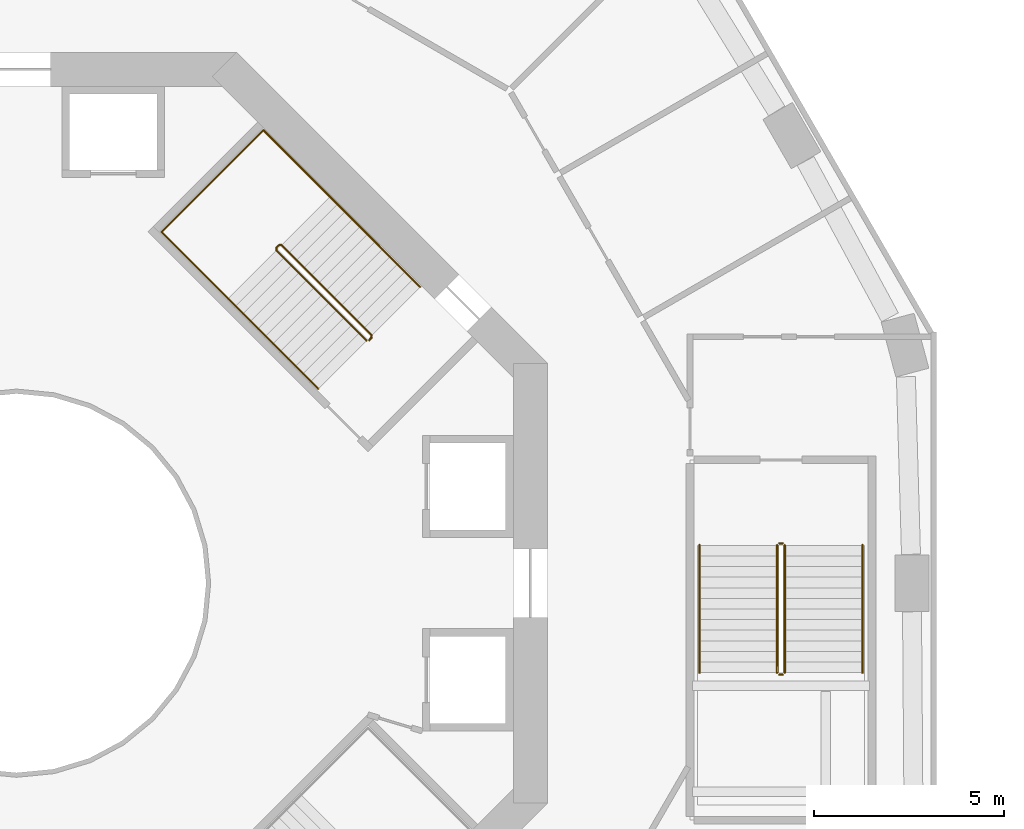
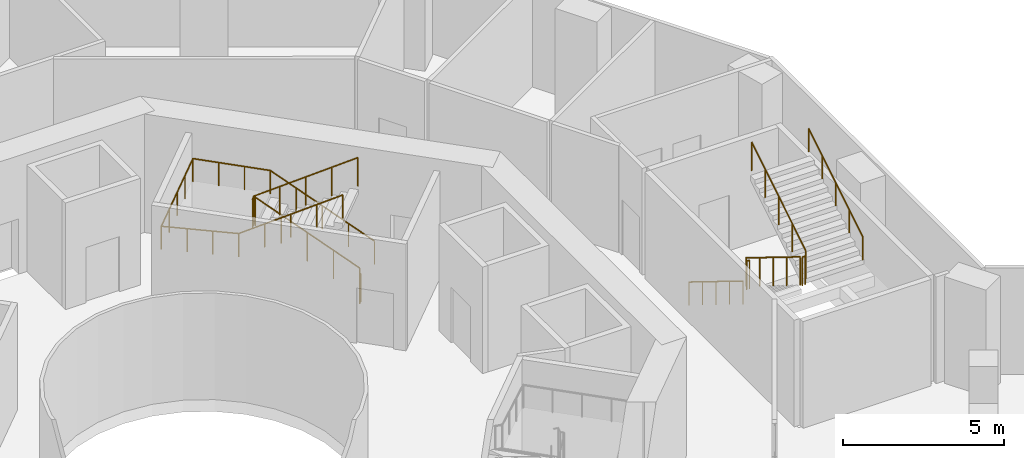
# One storey, part 19 of 21: 8 railings.
"""IFC4 building model written with IfcOpenShell, lengths in metres."""

from ifc_helpers import new_model, si_unit, direction, frame, origin, origin_2d, place, context, subcontext, project, spatial, circle, extrude, material, type_object, element, save


model = new_model("IFC4")

# Units and contexts
model_context = context("Model", 3, precision=1e-05, world=origin(), true_north=direction((0.0, 1.0)))
body_context = subcontext(model_context, "Body", "Model", "MODEL_VIEW")
ifc_project = project(units=[si_unit("LENGTHUNIT", "METRE"), si_unit("AREAUNIT", "SQUARE_METRE"), si_unit("VOLUMEUNIT", "CUBIC_METRE"), si_unit("PLANEANGLEUNIT", "RADIAN"), si_unit("MASSUNIT", "GRAM", prefix="KILO")], contexts=[model_context])

# Site, building, storey
site_placement = place(None, origin())
site = spatial("IfcSite", under=ifc_project, at=site_placement, CompositionType="ELEMENT")
building_placement = place(site_placement, origin())
building = spatial("IfcBuilding", under=site, at=building_placement, Name="Verdalira Terraces Hotel", CompositionType="ELEMENT")
storey_placement = place(building_placement, frame((0.0, 0.0, 19.0)))
storey = spatial("IfcBuildingStorey", under=building, at=storey_placement, Name="L03", CompositionType="ELEMENT", Elevation=19.0)

# Railings
ifc_material_1 = material(Name="Stainless steel", Category="steel")
railing_type_1 = type_object("IfcRailingType", Name="Stair guard 1100", PredefinedType="GUARDRAIL", material=ifc_material_1)
railing_1_placement = place(storey_placement, frame((9.369141, 6.469971, 0.0)))
element("IfcRailing", 1, at=railing_1_placement, inside=storey, type_object=railing_type_1, Name="L03 ST1 stair guard 1", PredefinedType="GUARDRAIL", context=body_context, shape_type="SweptSolid", body=[
    extrude(circle(Radius=0.023926, at=origin_2d()), frame((0.0, 0.0, 1.076172), z_axis=(-0.70832698, -0.705884473, 0.0), x_axis=(0.705884473, -0.70832698, 0.0)), (0.0, 0.0, 1.0), 0.099854),
    extrude(circle(Radius=0.023926, at=origin_2d()), frame((-0.070801, -0.070557, 1.076172), z_axis=(0.302014195, 0.602986962, 0.738372636), x_axis=(-0.894118129, 0.447831187, 0.0)), (0.0, 0.0, 1.0), 0.234375),
    extrude(circle(Radius=0.023926, at=origin_2d()), frame((0.0, 0.070801, 1.249023), z_axis=(-0.601505331, 0.601443524, 0.525791806), x_axis=(-0.707070449, -0.707143111, 0.0)), (0.0, 0.0, 1.0), 3.949951),
    extrude(circle(Radius=0.023926, at=origin_2d()), frame((-2.375977, 2.446533, 3.326172), z_axis=(-1.0, 0.0, 0.0), x_axis=(0.0, -1.0, 0.0)), (0.0, 0.0, 1.0), 0.070557),
    extrude(circle(Radius=0.023926, at=origin_2d()), frame((-2.446533, 2.446533, 3.326172), z_axis=(-0.70832698, -0.705884473, 0.0), x_axis=(0.705884473, -0.70832698, 0.0)), (0.0, 0.0, 1.0), 0.099854),
    extrude(circle(Radius=0.023926, at=origin_2d()), frame((-2.517334, 2.375977, 3.326172), z_axis=(0.0, -0.378582013, 0.92556775), x_axis=(1.0, 0.0, 0.0)), (0.0, 0.0, 1.0), 0.187012),
    extrude(circle(Radius=0.023926, at=origin_2d()), frame((-2.517334, 2.305176, 3.499023), z_axis=(0.601505331, -0.601443524, 0.525791806), x_axis=(0.707070449, 0.707143111, 0.0)), (0.0, 0.0, 1.0), 3.949951),
    extrude(circle(Radius=0.020996, at=origin_2d()), origin(), (0.0, 0.0, 1.0), 1.052002),
    extrude(circle(Radius=0.020996, at=origin_2d()), frame((-0.070801, -0.070557, 0.0)), (0.0, 0.0, 1.0), 1.052002),
    extrude(circle(Radius=0.020996, at=origin_2d()), frame((0.0, 0.070801, 0.173096)), (0.0, 0.0, 1.0), 1.052002),
    extrude(circle(Radius=0.020996, at=origin_2d()), frame((-0.593994, 0.664795, 0.692383)), (0.0, 0.0, 1.0), 1.052002),
    extrude(circle(Radius=0.020996, at=origin_2d()), frame((-1.187988, 1.258789, 1.211426)), (0.0, 0.0, 1.0), 1.052002),
    extrude(circle(Radius=0.020996, at=origin_2d()), frame((-1.781982, 1.852539, 1.730713)), (0.0, 0.0, 1.0), 1.052002),
    extrude(circle(Radius=0.020996, at=origin_2d()), frame((-2.375977, 2.446533, 2.25)), (0.0, 0.0, 1.0), 1.052002),
    extrude(circle(Radius=0.020996, at=origin_2d()), frame((-2.446533, 2.446533, 2.25)), (0.0, 0.0, 1.0), 1.052002),
    extrude(circle(Radius=0.020996, at=origin_2d()), frame((-2.517334, 2.375977, 2.25)), (0.0, 0.0, 1.0), 1.052002),
    extrude(circle(Radius=0.020996, at=origin_2d()), frame((-2.517334, 2.305176, 2.423096)), (0.0, 0.0, 1.0), 1.052002),
    extrude(circle(Radius=0.020996, at=origin_2d()), frame((-1.92334, 1.711182, 2.942383)), (0.0, 0.0, 1.0), 1.052002),
    extrude(circle(Radius=0.020996, at=origin_2d()), frame((-1.329346, 1.117188, 3.461426)), (0.0, 0.0, 1.0), 1.052002),
    extrude(circle(Radius=0.020996, at=origin_2d()), frame((-0.735352, 0.523438, 3.980713)), (0.0, 0.0, 1.0), 1.052002),
    extrude(circle(Radius=0.020996, at=origin_2d()), frame((-0.141357, -0.070557, 4.5)), (0.0, 0.0, 1.0), 1.052002),
])
railing_2_placement = place(storey_placement, frame((20.05835, 1.0, 0.173096)))
element("IfcRailing", 2, at=railing_2_placement, inside=storey, type_object=railing_type_1, Name="L03 PS4 stair guard 1", PredefinedType="GUARDRAIL", context=body_context, shape_type="SweptSolid", body=[
    extrude(circle(Radius=0.023926, at=origin_2d()), frame((0.0, 0.0, 1.076172), z_axis=(0.0, -0.850623217, 0.525775754), x_axis=(1.0, 0.0, 0.0)), (0.0, 0.0, 1.0), 3.950195),
    extrude(circle(Radius=0.020996, at=origin_2d()), origin(), (0.0, 0.0, 1.0), 1.052002),
    extrude(circle(Radius=0.020996, at=origin_2d()), frame((0.0, -0.840088, 0.519287)), (0.0, 0.0, 1.0), 1.052002),
    extrude(circle(Radius=0.020996, at=origin_2d()), frame((0.0, -1.680176, 1.038574)), (0.0, 0.0, 1.0), 1.052002),
    extrude(circle(Radius=0.020996, at=origin_2d()), frame((0.0, -2.52002, 1.557617)), (0.0, 0.0, 1.0), 1.052002),
    extrude(circle(Radius=0.020996, at=origin_2d()), frame((0.0, -3.360107, 2.076904)), (0.0, 0.0, 1.0), 1.052002),
])
railing_3_placement = place(storey_placement, frame((20.108398, -2.409912, 2.25)))
element("IfcRailing", 3, at=railing_3_placement, inside=storey, type_object=railing_type_1, Name="L03 PS4 stair guard 2", PredefinedType="GUARDRAIL", context=body_context, shape_type="SweptSolid", body=[
    extrude(circle(Radius=0.023926, at=origin_2d()), frame((0.0, 0.0, 1.076172), z_axis=(1.0, 0.0, 0.0), x_axis=(0.0, 1.0, 0.0)), (0.0, 0.0, 1.0), 0.099854),
    extrude(circle(Radius=0.020996, at=origin_2d()), origin(), (0.0, 0.0, 1.0), 1.052002),
    extrude(circle(Radius=0.020996, at=origin_2d()), frame((0.099854, 0.0, 0.0)), (0.0, 0.0, 1.0), 1.052002),
])
railing_4_placement = place(storey_placement, frame((20.258301, -2.360107, 2.423096)))
element("IfcRailing", 4, at=railing_4_placement, inside=storey, type_object=railing_type_1, Name="L03 PS4 stair guard 3", PredefinedType="GUARDRAIL", context=body_context, shape_type="SweptSolid", body=[
    extrude(circle(Radius=0.023926, at=origin_2d()), frame((0.0, 0.0, 1.076172), z_axis=(0.0, 0.850623217, 0.525775754), x_axis=(-1.0, 0.0, 0.0)), (0.0, 0.0, 1.0), 3.950195),
    extrude(circle(Radius=0.020996, at=origin_2d()), origin(), (0.0, 0.0, 1.0), 1.052002),
    extrude(circle(Radius=0.020996, at=origin_2d()), frame((0.0, 0.840088, 0.519287)), (0.0, 0.0, 1.0), 1.052002),
    extrude(circle(Radius=0.020996, at=origin_2d()), frame((0.0, 1.680176, 1.038574)), (0.0, 0.0, 1.0), 1.052002),
    extrude(circle(Radius=0.020996, at=origin_2d()), frame((0.0, 2.52002, 1.557617)), (0.0, 0.0, 1.0), 1.052002),
    extrude(circle(Radius=0.020996, at=origin_2d()), frame((0.0, 3.360107, 2.076904)), (0.0, 0.0, 1.0), 1.052002),
])
railing_5_placement = place(storey_placement, frame((20.108398, 1.050049, 0.0)))
element("IfcRailing", 5, at=railing_5_placement, inside=storey, type_object=railing_type_1, Name="L03 PS4 stair guard 4", PredefinedType="GUARDRAIL", context=body_context, shape_type="SweptSolid", body=[
    extrude(circle(Radius=0.023926, at=origin_2d()), frame((0.0, 0.0, 1.076172), z_axis=(1.0, 0.0, 0.0), x_axis=(0.0, 1.0, 0.0)), (0.0, 0.0, 1.0), 0.099854),
    extrude(circle(Radius=0.020996, at=origin_2d()), origin(), (0.0, 0.0, 1.0), 1.052002),
    extrude(circle(Radius=0.020996, at=origin_2d()), frame((0.099854, 0.0, 0.0)), (0.0, 0.0, 1.0), 1.052002),
])
ifc_material_2 = material(Name="Stainless steel", Category="steel")
railing_type_2 = type_object("IfcRailingType", Name="Stair handrail 900", PredefinedType="HANDRAIL", material=ifc_material_2)
railing_6_placement = place(storey_placement, frame((10.641846, 7.813477, 0.173096)))
element("IfcRailing", 6, at=railing_6_placement, inside=storey, type_object=railing_type_2, Name="L03 ST1 stair handrail 1", PredefinedType="HANDRAIL", context=body_context, shape_type="SweptSolid", body=[
    extrude(circle(Radius=0.023926, at=origin_2d()), frame((0.0, 0.0, 0.875977), z_axis=(-0.601443524, 0.601505331, 0.525791806), x_axis=(-0.707143111, -0.707070449, 0.0)), (0.0, 0.0, 1.0), 3.949951),
    extrude(circle(Radius=0.023926, at=origin_2d()), frame((-2.375732, 2.375977, 2.952637), z_axis=(-0.707106781, 0.707106781, 0.0), x_axis=(-0.707106781, -0.707106781, 0.0)), (0.0, 0.0, 1.0), 2.48999),
    extrude(circle(Radius=0.023926, at=origin_2d()), frame((-4.136475, 4.136719, 2.952637), z_axis=(-0.707106781, -0.707106781, 0.0), x_axis=(0.707106781, -0.707106781, 0.0)), (0.0, 0.0, 1.0), 3.800049),
    extrude(circle(Radius=0.023926, at=origin_2d()), frame((-6.823486, 1.449707, 2.952637), z_axis=(0.705404483, -0.705404483, 0.069347168), x_axis=(0.707106781, 0.707106781, 0.0)), (0.0, 0.0, 1.0), 2.496094),
    extrude(circle(Radius=0.023926, at=origin_2d()), frame((-5.062744, -0.311035, 3.125977), z_axis=(0.601443524, -0.601505331, 0.525791806), x_axis=(0.707143111, 0.707070449, 0.0)), (0.0, 0.0, 1.0), 3.949951),
    extrude(circle(Radius=0.020996, at=origin_2d()), origin(), (0.0, 0.0, 1.0), 0.851807),
    extrude(circle(Radius=0.020996, at=origin_2d()), frame((-0.593994, 0.593994, 0.519287)), (0.0, 0.0, 1.0), 0.851807),
    extrude(circle(Radius=0.020996, at=origin_2d()), frame((-1.187988, 1.187988, 1.038574)), (0.0, 0.0, 1.0), 0.851807),
    extrude(circle(Radius=0.020996, at=origin_2d()), frame((-1.781738, 1.781982, 1.557617)), (0.0, 0.0, 1.0), 0.851807),
    extrude(circle(Radius=0.020996, at=origin_2d()), frame((-2.375732, 2.375977, 2.076904)), (0.0, 0.0, 1.0), 0.851807),
    extrude(circle(Radius=0.020996, at=origin_2d()), frame((-2.962646, 2.962891, 2.076904)), (0.0, 0.0, 1.0), 0.851807),
    extrude(circle(Radius=0.020996, at=origin_2d()), frame((-3.549561, 3.549805, 2.076904)), (0.0, 0.0, 1.0), 0.851807),
    extrude(circle(Radius=0.020996, at=origin_2d()), frame((-4.136475, 4.136719, 2.076904)), (0.0, 0.0, 1.0), 0.851807),
    extrude(circle(Radius=0.020996, at=origin_2d()), frame((-4.808105, 3.464844, 2.076904)), (0.0, 0.0, 1.0), 0.851807),
    extrude(circle(Radius=0.020996, at=origin_2d()), frame((-5.47998, 2.793213, 2.076904)), (0.0, 0.0, 1.0), 0.851807),
    extrude(circle(Radius=0.020996, at=origin_2d()), frame((-6.151855, 2.121582, 2.076904)), (0.0, 0.0, 1.0), 0.851807),
    extrude(circle(Radius=0.020996, at=origin_2d()), frame((-6.823486, 1.449707, 2.076904)), (0.0, 0.0, 1.0), 0.851807),
    extrude(circle(Radius=0.020996, at=origin_2d()), frame((-6.236572, 0.862793, 2.134521)), (0.0, 0.0, 1.0), 0.851807),
    extrude(circle(Radius=0.020996, at=origin_2d()), frame((-5.649658, 0.275879, 2.192383)), (0.0, 0.0, 1.0), 0.851807),
    extrude(circle(Radius=0.020996, at=origin_2d()), frame((-5.062744, -0.311035, 2.25)), (0.0, 0.0, 1.0), 0.851807),
    extrude(circle(Radius=0.020996, at=origin_2d()), frame((-4.46875, -0.905029, 2.769287)), (0.0, 0.0, 1.0), 0.851807),
    extrude(circle(Radius=0.020996, at=origin_2d()), frame((-3.875, -1.499023, 3.288574)), (0.0, 0.0, 1.0), 0.851807),
    extrude(circle(Radius=0.020996, at=origin_2d()), frame((-3.281006, -2.093018, 3.807617)), (0.0, 0.0, 1.0), 0.851807),
    extrude(circle(Radius=0.020996, at=origin_2d()), frame((-2.687012, -2.687012, 4.326904)), (0.0, 0.0, 1.0), 0.851807),
])
railing_7_placement = place(storey_placement, frame((18.008301, 1.0, 0.173096)))
element("IfcRailing", 7, at=railing_7_placement, inside=storey, type_object=railing_type_2, Name="L03 PS4 stair handrail 1", PredefinedType="HANDRAIL", context=body_context, shape_type="SweptSolid", body=[
    extrude(circle(Radius=0.023926, at=origin_2d()), frame((0.0, 0.0, 0.875977), z_axis=(0.0, -0.850623217, 0.525775754), x_axis=(1.0, 0.0, 0.0)), (0.0, 0.0, 1.0), 3.950195),
    extrude(circle(Radius=0.020996, at=origin_2d()), origin(), (0.0, 0.0, 1.0), 0.851807),
    extrude(circle(Radius=0.020996, at=origin_2d()), frame((0.0, -0.840088, 0.519287)), (0.0, 0.0, 1.0), 0.851807),
    extrude(circle(Radius=0.020996, at=origin_2d()), frame((0.0, -1.680176, 1.038574)), (0.0, 0.0, 1.0), 0.851807),
    extrude(circle(Radius=0.020996, at=origin_2d()), frame((0.0, -2.52002, 1.557617)), (0.0, 0.0, 1.0), 0.851807),
    extrude(circle(Radius=0.020996, at=origin_2d()), frame((0.0, -3.360107, 2.076904)), (0.0, 0.0, 1.0), 0.851807),
])
railing_8_placement = place(storey_placement, frame((22.30835, -2.360107, 2.423096)))
element("IfcRailing", 8, at=railing_8_placement, inside=storey, type_object=railing_type_2, Name="L03 PS4 stair handrail 2", PredefinedType="HANDRAIL", context=body_context, shape_type="SweptSolid", body=[
    extrude(circle(Radius=0.023926, at=origin_2d()), frame((0.0, 0.0, 0.875977), z_axis=(0.0, 0.850623217, 0.525775754), x_axis=(-1.0, 0.0, 0.0)), (0.0, 0.0, 1.0), 3.950195),
    extrude(circle(Radius=0.020996, at=origin_2d()), origin(), (0.0, 0.0, 1.0), 0.851807),
    extrude(circle(Radius=0.020996, at=origin_2d()), frame((0.0, 0.840088, 0.519287)), (0.0, 0.0, 1.0), 0.851807),
    extrude(circle(Radius=0.020996, at=origin_2d()), frame((0.0, 1.680176, 1.038574)), (0.0, 0.0, 1.0), 0.851807),
    extrude(circle(Radius=0.020996, at=origin_2d()), frame((0.0, 2.52002, 1.557617)), (0.0, 0.0, 1.0), 0.851807),
    extrude(circle(Radius=0.020996, at=origin_2d()), frame((0.0, 3.360107, 2.076904)), (0.0, 0.0, 1.0), 0.851807),
])

save(model, "model.ifc")
